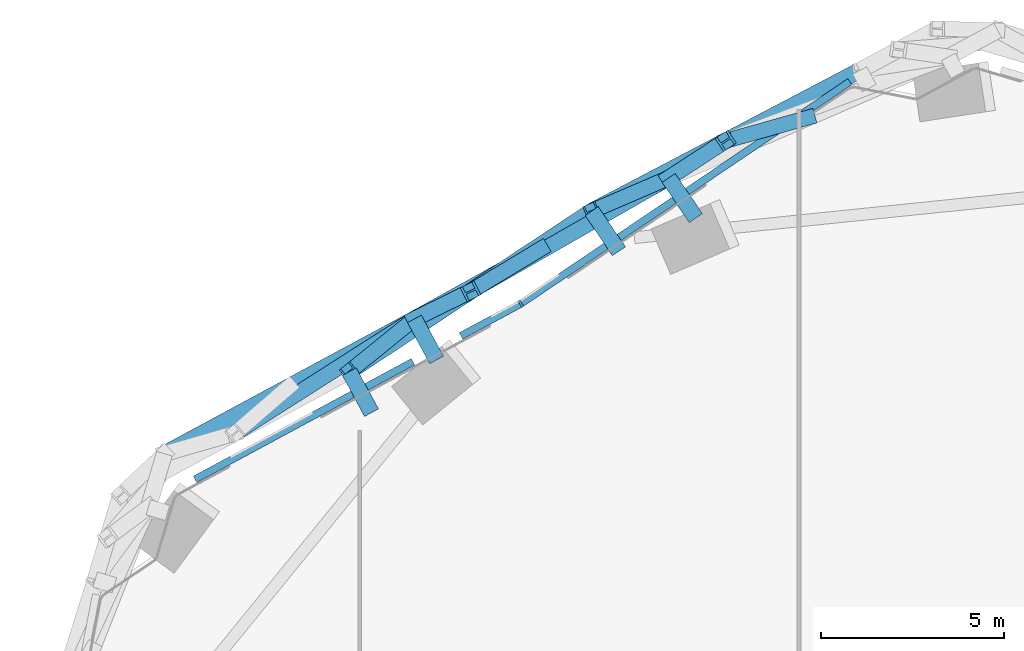
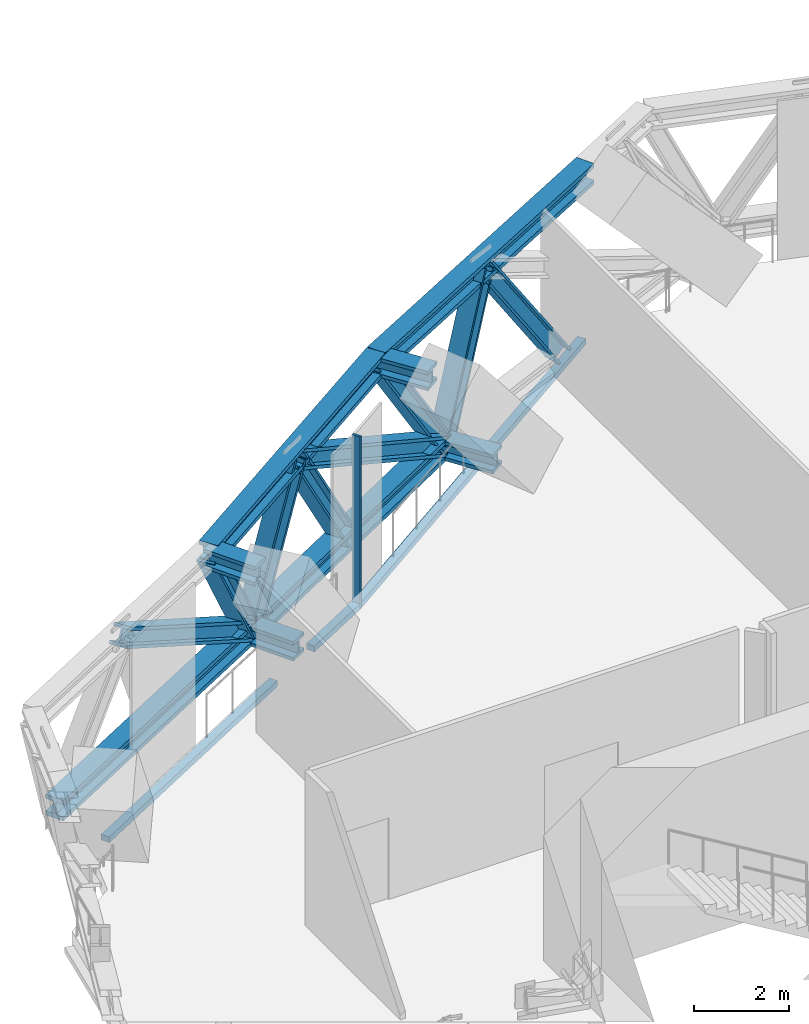
# One storey, part 13 of 39: 20 members, 2 elements without a shape of their own.
"""IFC4 building model written with IfcOpenShell, lengths in metres."""

from ifc_helpers import new_model, si_unit, direction, frame, origin, origin_2d, place, context, subcontext, project, spatial, rectangle, i_section, extrude, material, material_profile, profile_set, type_object, element, aggregate, save


model = new_model("IFC4")

# Units and contexts
model_context = context("Model", 3, precision=1e-05, world=origin(), true_north=direction((0.0, 1.0)))
body_context = subcontext(model_context, "Body", "Model", "MODEL_VIEW")
ifc_project = project(units=[si_unit("LENGTHUNIT", "METRE"), si_unit("AREAUNIT", "SQUARE_METRE"), si_unit("VOLUMEUNIT", "CUBIC_METRE"), si_unit("PLANEANGLEUNIT", "RADIAN"), si_unit("MASSUNIT", "GRAM", prefix="KILO")], contexts=[model_context])

# Site, building, storey
site_placement = place(None, origin())
site = spatial("IfcSite", under=ifc_project, at=site_placement, CompositionType="ELEMENT")
building_placement = place(site_placement, origin())
building = spatial("IfcBuilding", under=site, at=building_placement, Name="Orlundy Tower", CompositionType="ELEMENT")
storey_placement = place(building_placement, frame((0.0, 0.0, 141.199951171875)))
storey = spatial("IfcBuildingStorey", under=building, at=storey_placement, Name="L36", CompositionType="ELEMENT", Elevation=141.199951171875)

# Members
ifc_material_1 = material(Name="Steel ASTM A992 Gr 50", Category="steel")
ifc_material_profile_1 = material_profile(ifc_material_1, i_section(OverallWidth=0.4423828125, OverallDepth=0.531494140625, WebThickness=0.06591796875, FlangeThickness=0.105712890625, at=origin_2d()), Name="W14X605")
ifc_profile_set_1 = profile_set([ifc_material_profile_1], Name="Steel ASTM A992 Gr 50")
member_type_1 = type_object("IfcMemberType", Name="BELT TRUSS chord W14X605", PredefinedType="CHORD", material=ifc_profile_set_1)
member_1_placement = place(storey_placement, frame((-6.343505859375, 32.154296875, 3.71533203125), z_axis=(-0.885492425548, -0.464653811237, 0.0), x_axis=(0.464653811237, -0.885492425548, 0.0)))
element("IfcMember", 1, at=member_1_placement, inside=storey, type_object=member_type_1, Name="Belt truss top chord BT-19A", PredefinedType="CHORD", context=body_context, shape_type="SweptSolid", body=[
    extrude(i_section(OverallWidth=0.4423828125, OverallDepth=0.531494140625, WebThickness=0.06591796875, FlangeThickness=0.105712890625, at=origin_2d()), origin(), (0.0, 0.0, 1.0), 8.263427734375),
])
member_2_placement = place(storey_placement, frame((-11.5595703125, 29.218994140625, 0.28466796875), z_axis=(-0.874587750699, -0.484867266711, 0.0), x_axis=(0.484867266711, -0.874587750699, 0.0)))
element("IfcMember", 2, at=member_2_placement, inside=storey, type_object=member_type_1, Name="Belt truss bottom chord BT-20A", PredefinedType="CHORD", context=body_context, shape_type="SweptSolid", body=[
    extrude(i_section(OverallWidth=0.4423828125, OverallDepth=0.531494140625, WebThickness=0.06591796875, FlangeThickness=0.105712890625, at=origin_2d()), origin(), (0.0, 0.0, 1.0), 7.93896484375),
])
member_3_placement = place(storey_placement, frame((-13.66064453125, 28.314697265625, 3.71533203125), z_axis=(-0.833688035188, -0.552235692422, 0.0), x_axis=(0.552235692422, -0.833688035188, 0.0)))
element("IfcMember", 3, at=member_3_placement, inside=storey, type_object=member_type_1, Name="Belt truss top chord BT-20A", PredefinedType="CHORD", context=body_context, shape_type="SweptSolid", body=[
    extrude(i_section(OverallWidth=0.4423828125, OverallDepth=0.531494140625, WebThickness=0.06591796875, FlangeThickness=0.105712890625, at=origin_2d()), origin(), (0.0, 0.0, 1.0), 7.9404296875),
])
member_4_placement = place(storey_placement, frame((-18.5029296875, 25.36962890625, 0.28466796875), z_axis=(-0.88019205587, -0.474617682754, 0.0), x_axis=(0.474617682754, -0.88019205587, 0.0)))
element("IfcMember", 4, at=member_4_placement, inside=storey, type_object=member_type_1, Name="Belt truss bottom chord BT-21A", PredefinedType="CHORD", context=body_context, shape_type="SweptSolid", body=[
    extrude(i_section(OverallWidth=0.4423828125, OverallDepth=0.531494140625, WebThickness=0.06591796875, FlangeThickness=0.105712890625, at=origin_2d()), origin(), (0.0, 0.0, 1.0), 7.758056640625),
])
ifc_material_2 = material(Name="Steel ASTM A992 Gr 50", Category="steel")
ifc_material_profile_2 = material_profile(ifc_material_2, i_section(OverallWidth=0.42431640625, OverallDepth=0.47412109375, WebThickness=0.0478515625, FlangeThickness=0.0771484375, at=origin_2d()), Name="W14X426")
ifc_profile_set_2 = profile_set([ifc_material_profile_2], Name="Steel ASTM A992 Gr 50")
member_type_2 = type_object("IfcMemberType", Name="BELT TRUSS diagonal W14X426", PredefinedType="BRACE", material=ifc_profile_set_2)
member_5_placement = place(storey_placement, frame((-10.002197265625, 30.234375, 3.71533203125), z_axis=(-0.39911832351, -0.260218389634, -0.879199040909), x_axis=(0.546155614616, -0.837683737829, 0.0)))
element("IfcMember", 5, at=member_5_placement, inside=storey, type_object=member_type_2, Name="Belt truss diagonal BT-19A-1", PredefinedType="BRACE", context=body_context, shape_type="SweptSolid", body=[
    extrude(i_section(OverallWidth=0.42431640625, OverallDepth=0.47412109375, WebThickness=0.0478515625, FlangeThickness=0.0771484375, at=origin_2d()), origin(), (0.0, 0.0, 1.0), 3.902099609375),
])
member_6_placement = place(storey_placement, frame((-11.5595703125, 29.218994140625, 0.28466796875), z_axis=(-0.76039302224, -0.435191548778, 0.482089999482), x_axis=(0.496724997233, -0.867907988858, 0.0)))
element("IfcMember", 6, at=member_6_placement, inside=storey, type_object=member_type_2, Name="Belt truss diagonal BT-20A-0", PredefinedType="BRACE", context=body_context, shape_type="SweptSolid", body=[
    extrude(i_section(OverallWidth=0.42431640625, OverallDepth=0.47412109375, WebThickness=0.0478515625, FlangeThickness=0.0771484375, at=origin_2d()), origin(), (0.0, 0.0, 1.0), 7.1162109375),
])
member_7_placement = place(storey_placement, frame((-16.970703125, 26.1220703125, 3.71533203125), z_axis=(-0.399862361524, -0.196363256567, -0.895294121117), x_axis=(0.440794721265, -0.897607939863, 0.0)))
element("IfcMember", 7, at=member_7_placement, inside=storey, type_object=member_type_2, Name="Belt truss diagonal BT-20A-1", PredefinedType="BRACE", context=body_context, shape_type="SweptSolid", body=[
    extrude(i_section(OverallWidth=0.42431640625, OverallDepth=0.47412109375, WebThickness=0.0478515625, FlangeThickness=0.0771484375, at=origin_2d()), origin(), (0.0, 0.0, 1.0), 3.831787109375),
])
member_8_placement = place(storey_placement, frame((-18.5029296875, 25.36962890625, 0.28466796875), z_axis=(-0.726250900134, -0.462938839389, 0.508180343028), x_axis=(0.537519271136, -0.84325146496, 0.0)))
element("IfcMember", 8, at=member_8_placement, inside=storey, type_object=member_type_2, Name="Belt truss diagonal BT-21A-0", PredefinedType="BRACE", context=body_context, shape_type="SweptSolid", body=[
    extrude(i_section(OverallWidth=0.42431640625, OverallDepth=0.47412109375, WebThickness=0.0478515625, FlangeThickness=0.0771484375, at=origin_2d()), origin(), (0.0, 0.0, 1.0), 6.7509765625),
])
ifc_material_3 = material(Name="Steel ASTM A992 Gr 50", Category="steel")
ifc_material_profile_3 = material_profile(ifc_material_3, i_section(OverallWidth=0.412109375, OverallDepth=0.434814453125, WebThickness=0.035888671875, FlangeThickness=0.057373046875, at=origin_2d()), Name="W14X311")
ifc_profile_set_3 = profile_set([ifc_material_profile_3], Name="Steel ASTM A992 Gr 50")
member_type_3 = type_object("IfcMemberType", Name="BELT TRUSS post W14X311", PredefinedType="POST", material=ifc_profile_set_3)
member_9_placement = place(storey_placement, frame((-7.7392578125, 30.871826171875, 0.28466796875), z_axis=(-0.544115843809, -0.153272895478, 0.824891124954), x_axis=(0.271139507714, -0.962540060131, 0.0)))
element("IfcMember", 9, at=member_9_placement, inside=storey, type_object=member_type_3, Name="Belt truss post BT-19A-1", PredefinedType="POST", context=body_context, shape_type="SweptSolid", body=[
    extrude(i_section(OverallWidth=0.412109375, OverallDepth=0.434814453125, WebThickness=0.035888671875, FlangeThickness=0.057373046875, at=origin_2d()), origin(), (0.0, 0.0, 1.0), 4.158935546875),
])
member_10_placement = place(storey_placement, frame((-11.5595703125, 29.218994140625, 0.28466796875), z_axis=(-0.50955954754, -0.219313102962, 0.83201612387), x_axis=(0.395335791465, -0.918536668831, 0.0)))
element("IfcMember", 10, at=member_10_placement, inside=storey, type_object=member_type_3, Name="Belt truss post BT-19A-2", PredefinedType="POST", context=body_context, shape_type="SweptSolid", body=[
    extrude(i_section(OverallWidth=0.412109375, OverallDepth=0.434814453125, WebThickness=0.035888671875, FlangeThickness=0.057373046875, at=origin_2d()), origin(), (0.0, 0.0, 1.0), 4.123291015625),
])
member_11_placement = place(storey_placement, frame((-15.03125, 27.29443359375, 0.28466796875), z_axis=(-0.471701163363, -0.285134565266, 0.834383779907), x_axis=(0.517312928878, -0.855796315495, 0.0)))
element("IfcMember", 11, at=member_11_placement, inside=storey, type_object=member_type_3, Name="Belt truss post BT-20A-1", PredefinedType="POST", context=body_context, shape_type="SweptSolid", body=[
    extrude(i_section(OverallWidth=0.412109375, OverallDepth=0.434814453125, WebThickness=0.035888671875, FlangeThickness=0.057373046875, at=origin_2d()), origin(), (0.0, 0.0, 1.0), 4.111572265625),
])
member_12_placement = place(storey_placement, frame((-18.5029296875, 25.36962890625, 0.28466796875), z_axis=(-0.43109408308, -0.349209298449, 0.831992041675), x_axis=(0.629446873548, -0.777043520905, 0.0)))
element("IfcMember", 12, at=member_12_placement, inside=storey, type_object=member_type_3, Name="Belt truss post BT-20A-2", PredefinedType="POST", context=body_context, shape_type="SweptSolid", body=[
    extrude(i_section(OverallWidth=0.412109375, OverallDepth=0.434814453125, WebThickness=0.035888671875, FlangeThickness=0.057373046875, at=origin_2d()), origin(), (0.0, 0.0, 1.0), 4.12353515625),
])
ifc_material_4 = material(Name="Steel ASTM A992 Gr 50", Category="steel")
ifc_material_profile_4 = material_profile(ifc_material_4, i_section(OverallWidth=0.43212890625, OverallDepth=0.497802734375, WebThickness=0.0556640625, FlangeThickness=0.0888671875, at=origin_2d()), Name="W14X500")
ifc_profile_set_4 = profile_set([ifc_material_profile_4], Name="Steel ASTM A992 Gr 50")
member_type_4 = type_object("IfcMemberType", Name="BELT TRUSS strut W14X500", PredefinedType="STRUT", material=ifc_profile_set_4)
member_13_placement = place(storey_placement, frame((-10.818603515625, 28.12060546875, 0.28466796875), z_axis=(-0.559241810757, 0.829004582075, 0.0), x_axis=(-0.829004582075, -0.559241810757, 0.0)))
element("IfcMember", 13, at=member_13_placement, inside=storey, type_object=member_type_4, Name="Belt truss bracket C-H21", PredefinedType="STRUT", context=body_context, shape_type="SweptSolid", body=[
    extrude(i_section(OverallWidth=0.43212890625, OverallDepth=0.497802734375, WebThickness=0.0556640625, FlangeThickness=0.0888671875, at=origin_2d()), origin(), (0.0, 0.0, 1.0), 1.324951171875),
])
member_14_placement = place(storey_placement, frame((-12.919921875, 27.21630859375, 3.71533203125), z_axis=(-0.559115155877, 0.829090008665, 0.0), x_axis=(-0.829090008665, -0.559115155877, 0.0)))
element("IfcMember", 14, at=member_14_placement, inside=storey, type_object=member_type_4, Name="Belt truss bracket C-H21", PredefinedType="STRUT", context=body_context, shape_type="SweptSolid", body=[
    extrude(i_section(OverallWidth=0.43212890625, OverallDepth=0.497802734375, WebThickness=0.0556640625, FlangeThickness=0.0888671875, at=origin_2d()), origin(), (0.0, 0.0, 1.0), 1.32470703125),
])
for number, where, z_axis, x_axis, name in (
    (15, (-17.897705078125, 24.247314453125, 0.28466796875), (-0.474647784781, 0.880175823573, 0.0), (-0.880175823573, -0.474647784781, 0.0), "Belt truss bracket C-H20"),
    (16, (-19.67529296875, 22.807373046875, 3.71533203125), (-0.474647784781, 0.880175823573, 0.0), (-0.880175823573, -0.474647784781, 0.0), "Belt truss bracket C-H20"),
):
    element("IfcMember", number, at=place(storey_placement, frame(where, z_axis=z_axis, x_axis=x_axis)), inside=storey, type_object=member_type_4, Name=name, PredefinedType="STRUT", context=body_context, shape_type="SweptSolid", body=[
        extrude(i_section(OverallWidth=0.43212890625, OverallDepth=0.497802734375, WebThickness=0.0556640625, FlangeThickness=0.0888671875, at=origin_2d()), origin(), (0.0, 0.0, 1.0), 1.275146484375),
    ])

# Curtain wall, member
ifc_material_5 = material(Name="Aluminium bronze anodised", Category="aluminium")
curtain_wall_type = type_object("IfcCurtainWallType", Name="CW4 wall", PredefinedType="NOTDEFINED", material=ifc_material_5)
curtain_wall_1_placement = place(storey_placement, origin())
curtain_wall_1 = element("IfcCurtainWall", 17, at=curtain_wall_1_placement, inside=storey, type_object=curtain_wall_type, Name="CW4 run 021", PredefinedType="NOTDEFINED")
ifc_material_6 = material(Name="Aluminium bronze anodised", Category="aluminium")
ifc_material_profile_5 = material_profile(ifc_material_6, rectangle(XDim=0.199951171875, YDim=0.06005859375, at=origin_2d()), Name="CW4 mullion 60x200")
ifc_profile_set_5 = profile_set([ifc_material_profile_5], Name="Aluminium bronze anodised")
member_type_5 = type_object("IfcMemberType", Name="CW4 mullion 60x200", PredefinedType="MULLION", material=ifc_profile_set_5)
member_15_placement = place(storey_placement, frame((-15.597900390625, 25.78662109375, -0.449951171875), z_axis=(0.0, 0.0, 1.0), x_axis=(-0.517543648633, 0.855656807231, 0.0)))
member_15 = element("IfcMember", 18, at=member_15_placement, type_object=member_type_5, Name="CW4 mullion 38", PredefinedType="MULLION", context=body_context, shape_type="SweptSolid", body=[
    extrude(rectangle(XDim=0.199951171875, YDim=0.06005859375, at=origin_2d()), origin(), (0.0, 0.0, 1.0), 4.449951171875),
])

# Curtain wall, members
curtain_wall_2_placement = place(storey_placement, origin())
curtain_wall_2 = element("IfcCurtainWall", 19, at=curtain_wall_2_placement, inside=storey, type_object=curtain_wall_type, Name="CW4 run 020", PredefinedType="NOTDEFINED")
ifc_material_7 = material(Name="Aluminium bronze anodised", Category="aluminium")
ifc_material_profile_6 = material_profile(ifc_material_7, rectangle(XDim=0.199951171875, YDim=0.14990234375, at=origin_2d()), Name="CW4 transom 200x150")
ifc_profile_set_6 = profile_set([ifc_material_profile_6], Name="Aluminium bronze anodised")
member_type_6 = type_object("IfcMemberType", Name="CW4 transom 200x150", PredefinedType="USERDEFINED", material=ifc_profile_set_6)
member_16_placement = place(storey_placement, frame((-24.497314453125, 20.987548828125, -0.375), z_axis=(0.880174354661, 0.474650508687, 0.0), x_axis=(-0.474650508687, 0.880174354661, 0.0)))
member_16 = element("IfcMember", 20, at=member_16_placement, type_object=member_type_6, Name="CW4 transom", ObjectType="TRANSOM", PredefinedType="USERDEFINED", context=body_context, shape_type="SweptSolid", body=[
    extrude(rectangle(XDim=0.199951171875, YDim=0.14990234375, at=origin_2d()), origin(), (0.0, 0.0, 1.0), 6.766845703125),
])
member_17_placement = place(storey_placement, frame((-17.23291015625, 24.905029296875, -0.375), z_axis=(0.880187841989, 0.474625497433, 0.0), x_axis=(-0.474625497433, 0.880187841989, 0.0)))
member_17 = element("IfcMember", 21, at=member_17_placement, type_object=member_type_6, Name="CW4 transom", ObjectType="TRANSOM", PredefinedType="USERDEFINED", context=body_context, shape_type="SweptSolid", body=[
    extrude(rectangle(XDim=0.199951171875, YDim=0.14990234375, at=origin_2d()), origin(), (0.0, 0.0, 1.0), 1.82763671875),
])
aggregate(curtain_wall_2, [member_16, member_17])

# Member
member_18_placement = place(storey_placement, frame((-15.572998046875, 25.803466796875, -0.375), z_axis=(0.829049480074, 0.559175249442, 0.0), x_axis=(-0.559175249442, 0.829049480074, 0.0)))
member_18 = element("IfcMember", 22, at=member_18_placement, type_object=member_type_6, Name="CW4 transom", ObjectType="TRANSOM", PredefinedType="USERDEFINED", context=body_context, shape_type="SweptSolid", body=[
    extrude(rectangle(XDim=0.199951171875, YDim=0.14990234375, at=origin_2d()), origin(), (0.0, 0.0, 1.0), 10.807861328125),
])

aggregate(curtain_wall_1, [member_15, member_18])

save(model, "model.ifc")
